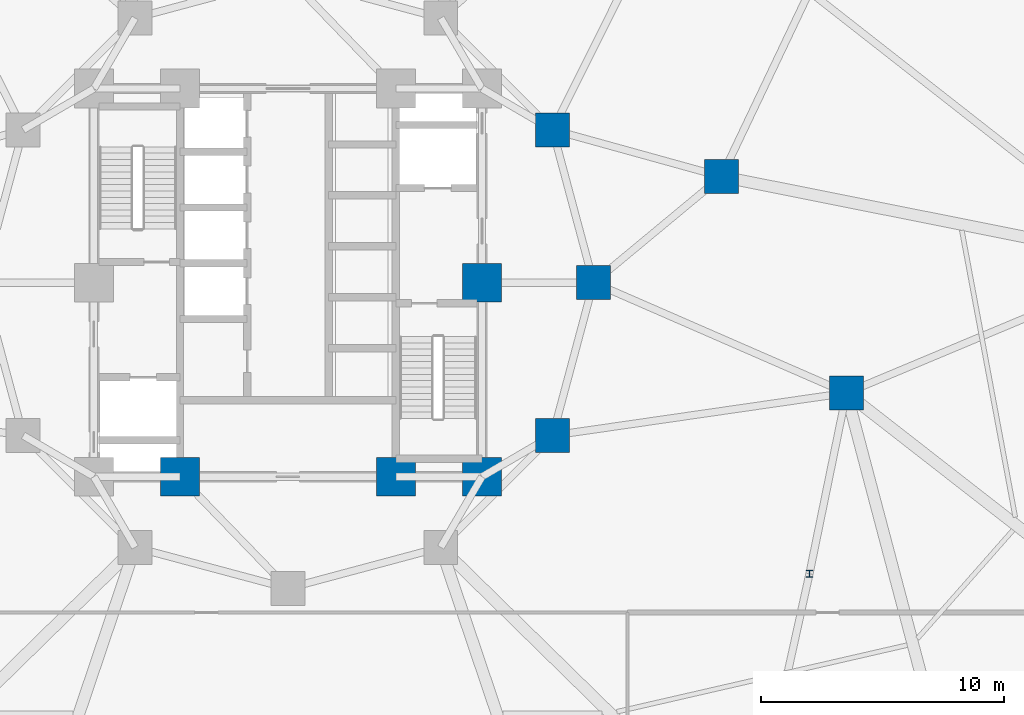
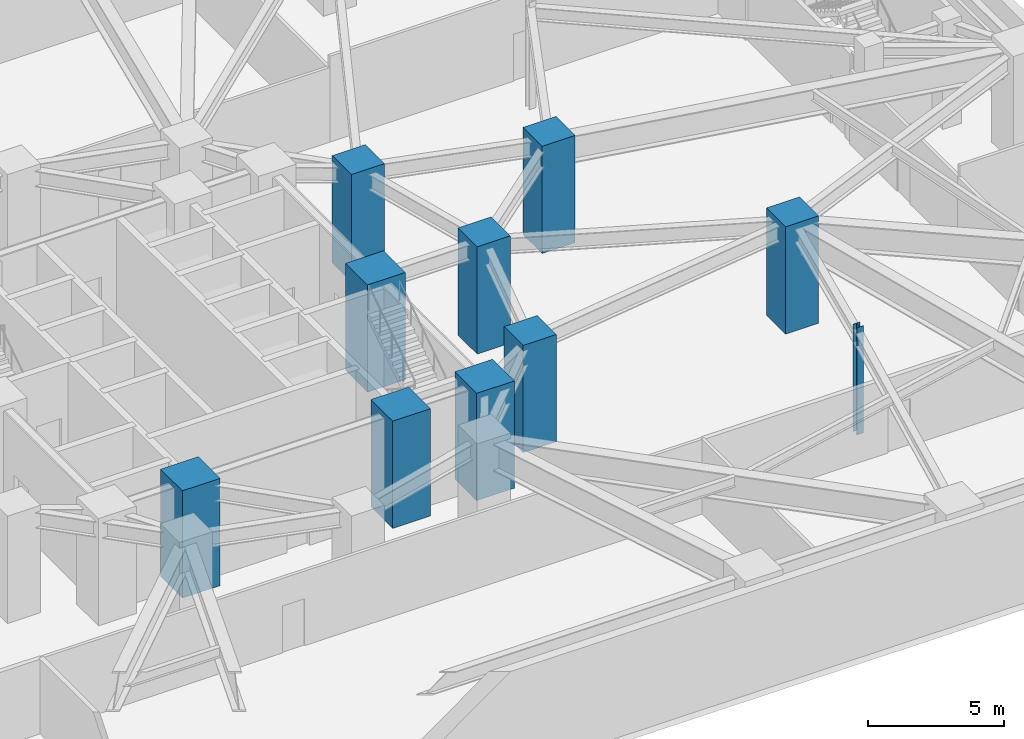
# One storey, part 3 of 18: 10 columns.
"""IFC4 building model written with IfcOpenShell, lengths in metres."""

from ifc_helpers import new_model, si_unit, direction, frame, origin, origin_2d, place, context, subcontext, project, spatial, rectangle, i_section, extrude, material, material_profile, profile_set, type_object, element, save


model = new_model("IFC4")

# Units and contexts
model_context = context("Model", 3, precision=1e-05, world=origin(), true_north=direction((0.0, 1.0)))
body_context = subcontext(model_context, "Body", "Model", "MODEL_VIEW")
ifc_project = project(units=[si_unit("LENGTHUNIT", "METRE"), si_unit("AREAUNIT", "SQUARE_METRE"), si_unit("VOLUMEUNIT", "CUBIC_METRE"), si_unit("PLANEANGLEUNIT", "RADIAN"), si_unit("MASSUNIT", "GRAM", prefix="KILO")], contexts=[model_context])

# Site, building, storey
site_placement = place(None, origin())
site = spatial("IfcSite", under=ifc_project, at=site_placement, CompositionType="ELEMENT")
building_placement = place(site_placement, origin())
building = spatial("IfcBuilding", under=site, at=building_placement, Name="Terralouvre Media Tower", CompositionType="ELEMENT")
storey_placement = place(building_placement, frame((0.0, 0.0, -4.800048828125)))
storey = spatial("IfcBuildingStorey", under=building, at=storey_placement, Name="B01", CompositionType="ELEMENT", Elevation=-4.800048828125)

# Columns
ifc_material_1 = material(Name="Structural steel S355J2", Category="steel")
ifc_material_profile_1 = material_profile(ifc_material_1, i_section(OverallWidth=0.280029296875, OverallDepth=0.280029296875, WebThickness=0.010498046875, FlangeThickness=0.01806640625, at=origin_2d()), Name="HEB 280")
ifc_profile_set_1 = profile_set([ifc_material_profile_1], Name="Structural steel S355J2")
column_type_1 = type_object("IfcColumnType", Name="Basement Aisle Pilaster PL-HEB280 (HEB 280)", PredefinedType="PILASTER", material=ifc_profile_set_1)
column_placement = place(storey_placement, frame((21.5, -12.0, 0.0), z_axis=(0.0, 0.0, 1.0), x_axis=(1.0, 0.0, 0.0)))
element("IfcColumn", 1, at=column_placement, inside=storey, type_object=column_type_1, Name="B01 Car-Park Aisle Pilaster A2", PredefinedType="PILASTER", context=body_context, shape_type="SweptSolid", body=[
    extrude(i_section(OverallWidth=0.280029296875, OverallDepth=0.280029296875, WebThickness=0.010498046875, FlangeThickness=0.01806640625, at=origin_2d()), origin(), (0.0, 0.0, 1.0), 4.800048828125),
])
ifc_material_2 = material(Name="Concrete C60/75", Category="concrete")
ifc_material_profile_2 = material_profile(ifc_material_2, rectangle(XDim=1.39990234375, YDim=1.39990234375, at=origin_2d()), Name="RC 1400x1400")
ifc_profile_set_2 = profile_set([ifc_material_profile_2], Name="Concrete C60/75")
column_type_2 = type_object("IfcColumnType", Name="Structural Column C-RC1400 (RC 1400x1400)", PredefinedType="COLUMN", material=ifc_profile_set_2)
for number, where, z_axis, x_axis, name in (
    (2, (12.60009765625, 0.0, 0.0), (0.0, 0.0, 1.0), (1.0, 0.0, 0.0), "B01 Mega-Frame Column MC01"),
    (3, (10.911865234375, 6.300048828125, 0.0), (0.0, 0.0, 1.0), (1.0, 0.0, 0.0), "B01 Mega-Frame Column MC02"),
    (4, (10.911865234375, -6.300048828125, 0.0), (0.0, 0.0, 1.0), (1.0, 0.0, 0.0), "B01 Mega-Frame Column MC12"),
    (5, (23.02490234375, -4.546630859375, 0.0), (0.0, 0.0, 1.0), (1.0, 0.0, 0.0), "B01 Podium Transfer Column PM21"),
    (6, (17.874755859375, 4.373291015625, 0.0), (0.0, 0.0, 1.0), (1.0, 0.0, 0.0), "B01 Podium Transfer Column PM22"),
):
    element("IfcColumn", number, at=place(storey_placement, frame(where, z_axis=z_axis, x_axis=x_axis)), inside=storey, type_object=column_type_2, Name=name, PredefinedType="COLUMN", context=body_context, shape_type="SweptSolid", body=[
        extrude(rectangle(XDim=1.39990234375, YDim=1.39990234375, at=origin_2d()), origin(), (0.0, 0.0, 1.0), 4.800048828125),
    ])
ifc_material_3 = material(Name="Concrete C60/75", Category="concrete")
ifc_material_profile_3 = material_profile(ifc_material_3, rectangle(XDim=1.60009765625, YDim=1.60009765625, at=origin_2d()), Name="RC 1600x1600")
ifc_profile_set_3 = profile_set([ifc_material_profile_3], Name="Concrete C60/75")
column_type_3 = type_object("IfcColumnType", Name="Structural Column C-RC1600 (RC 1600x1600)", PredefinedType="COLUMN", material=ifc_profile_set_3)
for number, where, z_axis, x_axis, name in (
    (7, (-4.449951171875, -8.0, 0.0), (0.0, 0.0, 1.0), (1.0, 0.0, 0.0), "B01 Core Pilaster Column CP2"),
    (8, (4.449951171875, -8.0, 0.0), (0.0, 0.0, 1.0), (1.0, 0.0, 0.0), "B01 Core Pilaster Column CP10"),
    (9, (8.0, -8.0, 0.0), (0.0, 0.0, 1.0), (1.0, 0.0, 0.0), "B01 Core Pilaster Column CP3"),
    (10, (8.0, 0.0, 0.0), (0.0, 0.0, 1.0), (1.0, 0.0, 0.0), "B01 Core Pilaster Column CP4"),
):
    element("IfcColumn", number, at=place(storey_placement, frame(where, z_axis=z_axis, x_axis=x_axis)), inside=storey, type_object=column_type_3, Name=name, PredefinedType="COLUMN", context=body_context, shape_type="SweptSolid", body=[
        extrude(rectangle(XDim=1.60009765625, YDim=1.60009765625, at=origin_2d()), origin(), (0.0, 0.0, 1.0), 4.800048828125),
    ])

save(model, "model.ifc")
